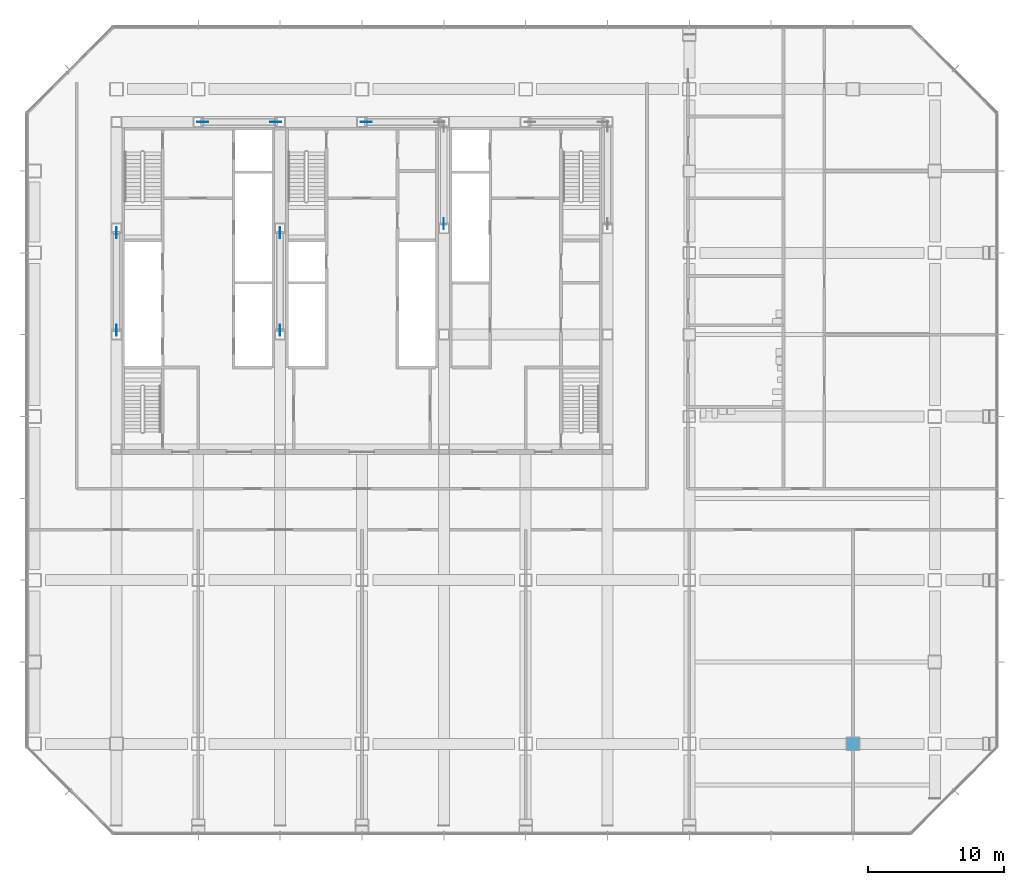
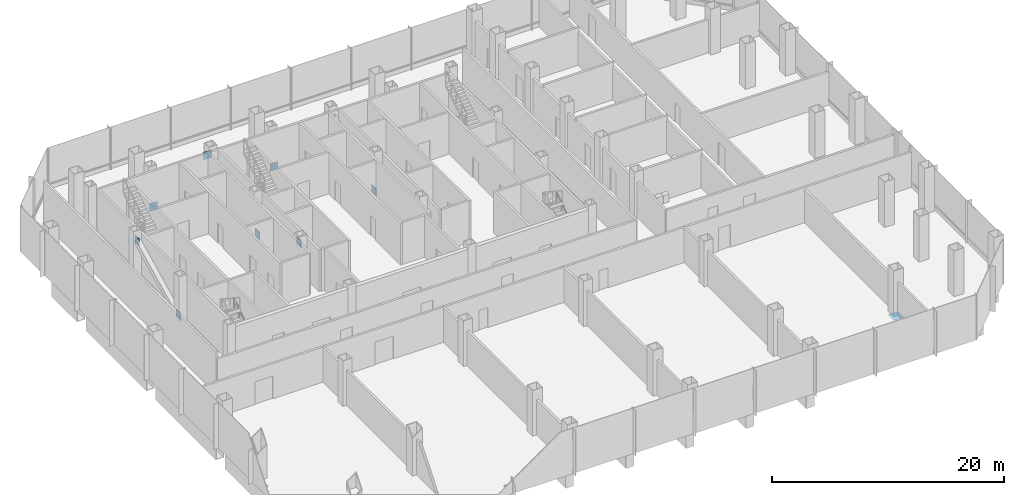
# One storey, part 26 of 34: 9 discrete accessories.
"""IFC4 building model written with IfcOpenShell, lengths in metres."""

from ifc_helpers import new_model, si_unit, direction, frame, origin, origin_2d, place, context, subcontext, project, spatial, rectangle, extrude, material, layer, layer_set, type_object, element, save


model = new_model("IFC4")

# Units and contexts
model_context = context("Model", 3, precision=1e-05, world=origin(), true_north=direction((0.0, 1.0)))
body_context = subcontext(model_context, "Body", "Model", "MODEL_VIEW")
ifc_project = project(units=[si_unit("LENGTHUNIT", "METRE"), si_unit("AREAUNIT", "SQUARE_METRE"), si_unit("VOLUMEUNIT", "CUBIC_METRE"), si_unit("PLANEANGLEUNIT", "RADIAN"), si_unit("MASSUNIT", "GRAM", prefix="KILO")], contexts=[model_context])

# Site, building, storey
site_placement = place(None, origin())
site = spatial("IfcSite", under=ifc_project, at=site_placement, CompositionType="ELEMENT")
building_placement = place(site_placement, origin())
building = spatial("IfcBuilding", under=site, at=building_placement, Name="Sorahane Residences", CompositionType="ELEMENT")
storey_placement = place(building_placement, frame((0.0, 0.0, 20.39990234375)))
storey = spatial("IfcBuildingStorey", under=building, at=storey_placement, Name="L02", CompositionType="ELEMENT", Elevation=20.39990234375)

# Discrete accessories
ifc_material_1 = material(Name="Steel Q420GJ", Category="steel")
ifc_layer_1 = layer(ifc_material_1, 0.02001953125)
ifc_layer_set_1 = layer_set([ifc_layer_1], Name="End plate Steel Q420GJ 1000x1000x20")
discrete_accessory_type_1 = type_object("IfcDiscreteAccessoryType", Name="End plate Steel Q420GJ 1000x1000x20", PredefinedType="USERDEFINED", material=ifc_layer_set_1)
discrete_accessory_placement = place(storey_placement, frame((60.0, 0.0, -0.419921875), z_axis=(0.0, 0.0, 1.0), x_axis=(1.0, 0.0, 0.0)))
element("IfcDiscreteAccessory", 1, at=discrete_accessory_placement, inside=storey, type_object=discrete_accessory_type_1, Name="End plate L02", ObjectType="END PLATE", PredefinedType="USERDEFINED", context=body_context, shape_type="SweptSolid", body=[
    extrude(rectangle(XDim=1.0, YDim=1.0, at=origin_2d()), origin(), (0.0, 0.0, 1.0), 0.02001953125),
])
ifc_material_2 = material(Name="Steel Q355B", Category="steel")
ifc_layer_2 = layer(ifc_material_2, 0.02490234375)
ifc_layer_set_2 = layer_set([ifc_layer_2], Name="Node plate Steel Q355B 25")
discrete_accessory_type_2 = type_object("IfcDiscreteAccessoryType", Name="Node plate Steel Q355B 25", PredefinedType="BRACKET", material=ifc_layer_set_2)
for number, where, z_axis, x_axis, name in (
    (2, (6.0, 30.333740234375, -0.1826171875), (0.0, 0.0, 1.0), (0.0, 1.0, 0.0), "Node plate L02 br"),
    (3, (6.0, 37.46630859375, 3.3330078125), (0.0, 0.0, 1.0), (0.0, 1.0, 0.0), "Node plate L02 br"),
    (4, (18.0, 37.46630859375, -0.1826171875), (0.0, 0.0, 1.0), (0.0, 1.0, 0.0), "Node plate L02 br"),
    (5, (18.0, 30.333740234375, 3.3330078125), (0.0, 0.0, 1.0), (0.0, 1.0, 0.0), "Node plate L02 br"),
    (6, (30.0, 38.1337890625, -0.1826171875), (0.0, 0.0, 1.0), (0.0, 1.0, 0.0), "Node plate L02 br"),
    (7, (12.317138671875, 45.60009765625, -0.205078125), (0.0, 0.0, 1.0), (1.0, 0.0, 0.0), "Node plate L02 br"),
    (8, (24.317138671875, 45.60009765625, -0.205078125), (0.0, 0.0, 1.0), (1.0, 0.0, 0.0), "Node plate L02 br"),
    (9, (17.682861328125, 45.60009765625, 3.35498046875), (0.0, 0.0, 1.0), (1.0, 0.0, 0.0), "Node plate L02 br"),
):
    element("IfcDiscreteAccessory", number, at=place(storey_placement, frame(where, z_axis=z_axis, x_axis=x_axis)), inside=storey, type_object=discrete_accessory_type_2, Name=name, PredefinedType="BRACKET", context=body_context, shape_type="SweptSolid", body=[
        extrude(rectangle(XDim=0.800048828125, YDim=0.02490234375, at=origin_2d()), origin(), (0.0, 0.0, 1.0), 0.800048828125),
    ])

save(model, "model.ifc")
